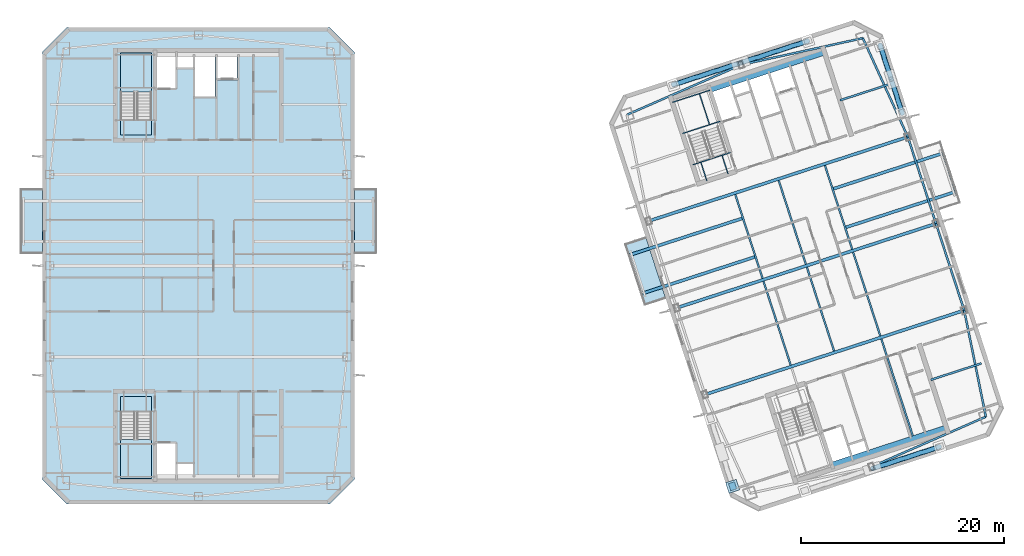
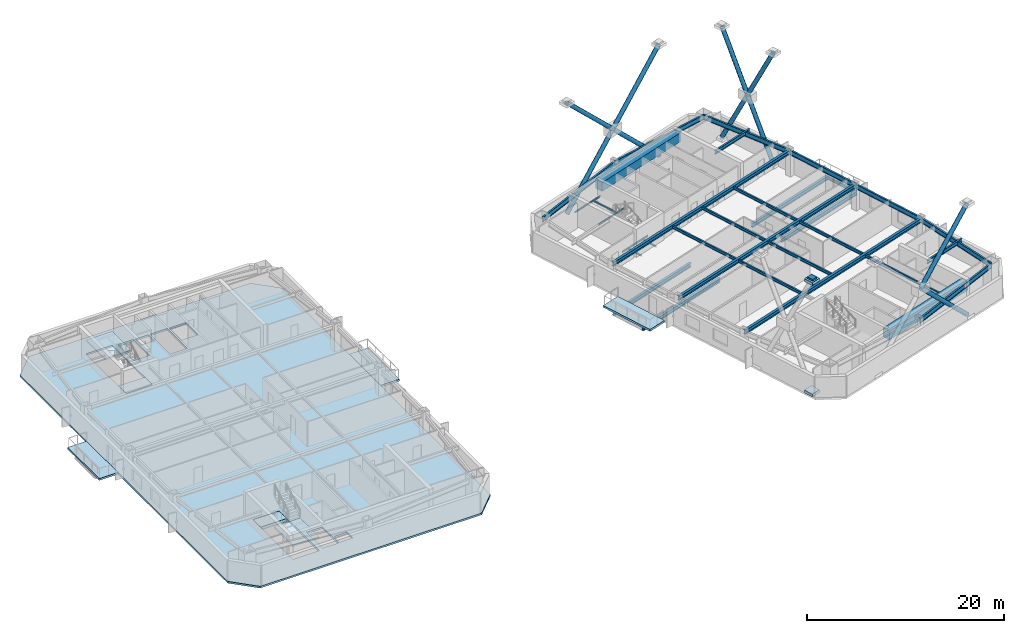
# One storey, part 4 of 18: 32 beams, 10 members, 8 slabs, 3 plates, 2 elements without a shape of their own.
"""IFC4 building model written with IfcOpenShell, lengths in metres."""

from ifc_helpers import new_model, si_unit, direction, frame, origin, origin_2d, place, context, subcontext, project, spatial, polyline, rectangle, hollow_circle, i_section, outline, extrude, material, layer, layer_set, material_profile, profile_set, type_object, element, aggregate, save


model = new_model("IFC4")

# Units and contexts
model_context = context("Model", 3, precision=1e-05, world=origin(), true_north=direction((0.0, 1.0)))
body_context = subcontext(model_context, "Body", "Model", "MODEL_VIEW")
ifc_project = project(units=[si_unit("LENGTHUNIT", "METRE"), si_unit("AREAUNIT", "SQUARE_METRE"), si_unit("VOLUMEUNIT", "CUBIC_METRE"), si_unit("PLANEANGLEUNIT", "RADIAN"), si_unit("MASSUNIT", "GRAM", prefix="KILO")], contexts=[model_context])

# Site, building, storey
site_placement = place(None, origin())
site = spatial("IfcSite", under=ifc_project, at=site_placement, CompositionType="ELEMENT")
building_placement = place(site_placement, origin())
building = spatial("IfcBuilding", under=site, at=building_placement, Name="Qiaolan Cultural Towers", CompositionType="ELEMENT")
storey_placement = place(building_placement, frame((0.0, 0.0, 226.550048828125)))
storey = spatial("IfcBuildingStorey", under=building, at=storey_placement, Name="L61", CompositionType="ELEMENT", Elevation=226.550048828125)

# Beams
ifc_material_1 = material(Name="Steel Q355B", Category="steel")
ifc_material_profile_1 = material_profile(ifc_material_1, i_section(OverallWidth=0.300048828125, OverallDepth=0.488037109375, WebThickness=0.010986328125, FlangeThickness=0.01806640625, at=origin_2d()), Name="HM488x300x11x18")
ifc_profile_set_1 = profile_set([ifc_material_profile_1], Name="Steel Q355B")
beam_type_1 = type_object("IfcBeamType", Name="BM-HM488x300x11x18", PredefinedType="BEAM", material=ifc_profile_set_1)
beam_1_placement = place(storey_placement, frame((84.978515625, 34.891845703125, -0.524169921875), z_axis=(-0.951057886204, -0.309012778197, 0.0), x_axis=(0.309012778197, -0.951057886204, 0.0)))
element("IfcBeam", 1, at=beam_1_placement, inside=storey, type_object=beam_type_1, Name="L61 T2 Tree Balcony Back-Spanned Bracket Beam", PredefinedType="BEAM", context=body_context, shape_type="SweptSolid", body=[
    extrude(i_section(OverallWidth=0.300048828125, OverallDepth=0.488037109375, WebThickness=0.010986328125, FlangeThickness=0.01806640625, at=origin_2d()), origin(), (0.0, 0.0, 1.0), 11.749755859375),
])
beam_2_placement = place(storey_placement, frame((83.742431640625, 38.6962890625, -0.524169921875), z_axis=(-0.951051779584, -0.309031572091, 0.0), x_axis=(0.309031572091, -0.951051779584, 0.0)))
element("IfcBeam", 2, at=beam_2_placement, inside=storey, type_object=beam_type_1, Name="L61 T2 Tree Balcony Back-Spanned Bracket Beam", PredefinedType="BEAM", context=body_context, shape_type="SweptSolid", body=[
    extrude(i_section(OverallWidth=0.300048828125, OverallDepth=0.488037109375, WebThickness=0.010986328125, FlangeThickness=0.01806640625, at=origin_2d()), origin(), (0.0, 0.0, 1.0), 11.75),
])
beam_3_placement = place(storey_placement, frame((93.823486328125, 37.765869140625, -0.524169921875), z_axis=(0.951061016342, 0.309003144311, 0.0), x_axis=(-0.309003144311, 0.951061016342, 0.0)))
element("IfcBeam", 3, at=beam_3_placement, inside=storey, type_object=beam_type_1, Name="L61 T2 Tree Balcony Back-Spanned Bracket Beam", PredefinedType="BEAM", context=body_context, shape_type="SweptSolid", body=[
    extrude(i_section(OverallWidth=0.300048828125, OverallDepth=0.488037109375, WebThickness=0.010986328125, FlangeThickness=0.01806640625, at=origin_2d()), origin(), (0.0, 0.0, 1.0), 11.449951171875),
])
beam_4_placement = place(storey_placement, frame((92.58740234375, 41.570068359375, -0.524169921875), z_axis=(0.951054749965, 0.309022430527, 0.0), x_axis=(-0.309022430527, 0.951054749965, 0.0)))
element("IfcBeam", 4, at=beam_4_placement, inside=storey, type_object=beam_type_1, Name="L61 T2 Tree Balcony Back-Spanned Bracket Beam", PredefinedType="BEAM", context=body_context, shape_type="SweptSolid", body=[
    extrude(i_section(OverallWidth=0.300048828125, OverallDepth=0.488037109375, WebThickness=0.010986328125, FlangeThickness=0.01806640625, at=origin_2d()), origin(), (0.0, 0.0, 1.0), 11.4501953125),
])
beam_5_placement = place(storey_placement, frame((79.989501953125, 21.2841796875, 2.926025390625), z_axis=(0.951056543098, 0.309016911884, 0.0), x_axis=(-0.309016911884, 0.951056543098, 0.0)))
element("IfcBeam", 5, at=beam_5_placement, inside=storey, type_object=beam_type_1, Name="L61 T2 Primary Transverse Girder V1", PredefinedType="BEAM", context=body_context, shape_type="SweptSolid", body=[
    extrude(i_section(OverallWidth=0.300048828125, OverallDepth=0.488037109375, WebThickness=0.010986328125, FlangeThickness=0.01806640625, at=origin_2d()), origin(), (0.0, 0.0, 1.0), 26.89990234375),
])
beam_6_placement = place(storey_placement, frame((77.208251953125, 29.84375, 2.926025390625), z_axis=(0.95105740976, 0.309014244561, 0.0), x_axis=(-0.309014244561, 0.95105740976, 0.0)))
element("IfcBeam", 6, at=beam_6_placement, inside=storey, type_object=beam_type_1, Name="L61 T2 Primary Transverse Girder V2", PredefinedType="BEAM", context=body_context, shape_type="SweptSolid", body=[
    extrude(i_section(OverallWidth=0.300048828125, OverallDepth=0.488037109375, WebThickness=0.010986328125, FlangeThickness=0.01806640625, at=origin_2d()), origin(), (0.0, 0.0, 1.0), 26.900146484375),
])
beam_7_placement = place(storey_placement, frame((74.42724609375, 38.4033203125, 2.926025390625), z_axis=(0.951056543098, 0.309016911884, 0.0), x_axis=(-0.309016911884, 0.951056543098, 0.0)))
element("IfcBeam", 7, at=beam_7_placement, inside=storey, type_object=beam_type_1, Name="L61 T2 Primary Transverse Girder V3", PredefinedType="BEAM", context=body_context, shape_type="SweptSolid", body=[
    extrude(i_section(OverallWidth=0.300048828125, OverallDepth=0.488037109375, WebThickness=0.010986328125, FlangeThickness=0.01806640625, at=origin_2d()), origin(), (0.0, 0.0, 1.0), 26.89990234375),
])
ifc_material_2 = material(Name="Steel Q355B", Category="steel")
ifc_material_profile_2 = material_profile(ifc_material_2, i_section(OverallWidth=0.175048828125, OverallDepth=0.35009765625, WebThickness=0.007080078125, FlangeThickness=0.010986328125, at=origin_2d()), Name="HN350x175x7x11")
ifc_profile_set_2 = profile_set([ifc_material_profile_2], Name="Steel Q355B")
beam_type_2 = type_object("IfcBeamType", Name="BM-JST-HN350x175x7x11", PredefinedType="JOIST", material=ifc_profile_set_2)
beam_8_placement = place(storey_placement, frame((104.713134765625, 41.303955078125, -0.524169921875), z_axis=(-0.3090046493, 0.951060527364, 0.0), x_axis=(-0.951060527364, -0.3090046493, 0.0)))
element("IfcBeam", 8, at=beam_8_placement, inside=storey, type_object=beam_type_2, Name="L61 T2 Tree Balcony Outer Edge Beam", PredefinedType="JOIST", context=body_context, shape_type="SweptSolid", body=[
    extrude(i_section(OverallWidth=0.175048828125, OverallDepth=0.35009765625, WebThickness=0.007080078125, FlangeThickness=0.010986328125, at=origin_2d()), origin(), (0.0, 0.0, 1.0), 4.000244140625),
])
for number, where, z_axis, x_axis, name in (
    (9, (88.455078125, 24.192626953125, 2.994873046875), (-0.309020714809, 0.951055307445, 0.0), (-0.951055307445, -0.309020714809, 0.0), "L61 T2 Secondary Floor Joist U1-2"),
    (10, (85.673828125, 32.752197265625, 2.994873046875), (-0.309020714809, 0.951055307445, 0.0), (-0.951055307445, -0.309020714809, 0.0), "L61 T2 Secondary Floor Joist U1-3"),
    (11, (92.73486328125, 25.583251953125, 2.994873046875), (-0.309020714809, 0.951055307445, 0.0), (-0.951055307445, -0.309020714809, 0.0), "L61 T2 Secondary Floor Joist U2-2"),
    (12, (89.95361328125, 34.142578125, 2.994873046875), (-0.309020714809, 0.951055307445, 0.0), (-0.951055307445, -0.309020714809, 0.0), "L61 T2 Secondary Floor Joist U2-3"),
):
    element("IfcBeam", number, at=place(storey_placement, frame(where, z_axis=z_axis, x_axis=x_axis)), inside=storey, type_object=beam_type_2, Name=name, PredefinedType="JOIST", context=body_context, shape_type="SweptSolid", body=[
        extrude(i_section(OverallWidth=0.175048828125, OverallDepth=0.35009765625, WebThickness=0.007080078125, FlangeThickness=0.010986328125, at=origin_2d()), origin(), (0.0, 0.0, 1.0), 8.699951171875),
    ])
beam_9_placement = place(storey_placement, frame((100.498291015625, 17.222900390625, 2.994873046875), z_axis=(-0.309025649293, 0.951053704098, 0.0), x_axis=(-0.951053704098, -0.309025649293, 0.0)))
element("IfcBeam", 13, at=beam_9_placement, inside=storey, type_object=beam_type_2, Name="L61 T2 Secondary Floor Joist U3-1", PredefinedType="JOIST", context=body_context, shape_type="SweptSolid", body=[
    extrude(i_section(OverallWidth=0.175048828125, OverallDepth=0.35009765625, WebThickness=0.007080078125, FlangeThickness=0.010986328125, at=origin_2d()), origin(), (0.0, 0.0, 1.0), 10.050048828125),
])
for number, where, z_axis, x_axis, name in (
    (14, (97.2998046875, 27.06640625, 2.994873046875), (-0.309020714809, 0.951055307445, 0.0), (-0.951055307445, -0.309020714809, 0.0), "L61 T2 Secondary Floor Joist U3-2"),
    (15, (94.518798828125, 35.6259765625, 2.994873046875), (-0.309020714809, 0.951055307445, 0.0), (-0.951055307445, -0.309020714809, 0.0), "L61 T2 Secondary Floor Joist U3-3"),
):
    element("IfcBeam", number, at=place(storey_placement, frame(where, z_axis=z_axis, x_axis=x_axis)), inside=storey, type_object=beam_type_2, Name=name, PredefinedType="JOIST", context=body_context, shape_type="SweptSolid", body=[
        extrude(i_section(OverallWidth=0.175048828125, OverallDepth=0.35009765625, WebThickness=0.007080078125, FlangeThickness=0.010986328125, at=origin_2d()), origin(), (0.0, 0.0, 1.0), 8.699951171875),
    ])
ifc_material_3 = material(Name="Steel Q355B", Category="steel")
ifc_material_profile_3 = material_profile(ifc_material_3, i_section(OverallWidth=0.199951171875, OverallDepth=0.449951171875, WebThickness=0.009033203125, FlangeThickness=0.013916015625, at=origin_2d()), Name="HN450x200x9x14")
ifc_profile_set_3 = profile_set([ifc_material_profile_3], Name="Steel Q355B")
beam_type_3 = type_object("IfcBeamType", Name="BM-LNT-HN450x200x9x14", PredefinedType="LINTEL", material=ifc_profile_set_3)
for number, where, z_axis, x_axis, name in (
    (16, (102.279296875, 22.74365234375, 2.945068359375), (0.951060037126, 0.309006158161, 0.0), (-0.309006158161, 0.951060037126, 0.0), "L61 T2 Core Flank Tie Lintel ES"),
    (17, (93.31787109375, 50.32421875, 2.945068359375), (0.951060037126, 0.309006158161, 0.0), (-0.309006158161, 0.951060037126, 0.0), "L61 T2 Core Flank Tie Lintel EN"),
):
    element("IfcBeam", number, at=place(storey_placement, frame(where, z_axis=z_axis, x_axis=x_axis)), inside=storey, type_object=beam_type_3, Name=name, PredefinedType="LINTEL", context=body_context, shape_type="SweptSolid", body=[
        extrude(i_section(OverallWidth=0.199951171875, OverallDepth=0.449951171875, WebThickness=0.009033203125, FlangeThickness=0.013916015625, at=origin_2d()), origin(), (0.0, 0.0, 1.0), 5.25),
    ])
ifc_material_4 = material(Name="Concrete C50", Category="concrete")
ifc_material_profile_4 = material_profile(ifc_material_4, rectangle(XDim=0.89990234375, YDim=1.10009765625, at=origin_2d()), Name="RC900x1100")
ifc_profile_set_4 = profile_set([ifc_material_profile_4], Name="Concrete C50")
beam_type_4 = type_object("IfcBeamType", Name="BM-RC900x1100", PredefinedType="BEAM", material=ifc_profile_set_4)
for number, where, z_axis, x_axis, name in (
    (18, (92.572265625, 14.174560546875, 2.619873046875), (0.951056266386, 0.309017763514, 0.0), (-0.309017763514, 0.951056266386, 0.0), "L61 T2 Core Header Girder S"),
    (19, (80.427978515625, 51.551025390625, 2.619873046875), (0.951056266386, 0.309017763514, 0.0), (-0.309017763514, 0.951056266386, 0.0), "L61 T2 Core Header Girder N"),
):
    element("IfcBeam", number, at=place(storey_placement, frame(where, z_axis=z_axis, x_axis=x_axis)), inside=storey, type_object=beam_type_4, Name=name, PredefinedType="BEAM", context=body_context, shape_type="SweptSolid", body=[
        extrude(rectangle(XDim=0.89990234375, YDim=1.10009765625, at=origin_2d()), origin(), (0.0, 0.0, 1.0), 11.880126953125),
    ])
ifc_material_5 = material(Name="Steel Q355B", Category="steel")
ifc_material_profile_5 = material_profile(ifc_material_5, i_section(OverallWidth=0.199951171875, OverallDepth=0.60009765625, WebThickness=0.010986328125, FlangeThickness=0.01708984375, at=origin_2d()), Name="HN600x200x11x17")
ifc_profile_set_5 = profile_set([ifc_material_profile_5], Name="Steel Q355B")
beam_type_5 = type_object("IfcBeamType", Name="BM-SPD-HN600x200x11x17", PredefinedType="SPANDREL", material=ifc_profile_set_5)
beam_10_placement = place(storey_placement, frame((96.443115234375, 14.17041015625, 2.869873046875), z_axis=(0.916042038824, 0.401082264762, 0.0), x_axis=(-0.401082264762, 0.916042038824, 0.0)))
element("IfcBeam", 20, at=beam_10_placement, inside=storey, type_object=beam_type_5, Name="L61 T2 Perimeter Spandrel Beam 2", PredefinedType="SPANDREL", context=body_context, shape_type="SweptSolid", body=[
    extrude(i_section(OverallWidth=0.199951171875, OverallDepth=0.60009765625, WebThickness=0.010986328125, FlangeThickness=0.01708984375, at=origin_2d()), origin(), (0.0, 0.0, 1.0), 12.299560546875),
])
beam_11_placement = place(storey_placement, frame((107.7099609375, 19.103515625, 2.869873046875), z_axis=(-0.199578538116, 0.979881833245, 0.0), x_axis=(-0.979881833245, -0.199578538116, 0.0)))
element("IfcBeam", 21, at=beam_11_placement, inside=storey, type_object=beam_type_5, Name="L61 T2 Perimeter Spandrel Beam 3", PredefinedType="SPANDREL", context=body_context, shape_type="SweptSolid", body=[
    extrude(i_section(OverallWidth=0.199951171875, OverallDepth=0.60009765625, WebThickness=0.010986328125, FlangeThickness=0.01708984375, at=origin_2d()), origin(), (0.0, 0.0, 1.0), 10.70849609375),
])
for number, where, z_axis, x_axis, name in (
    (22, (105.57275390625, 29.5966796875, 2.869873046875), (-0.309000197986, 0.951061973609, 0.0), (-0.951061973609, -0.309000197986, 0.0), "L61 T2 Perimeter Spandrel Beam 4"),
    (23, (102.791748046875, 38.15625, 2.869873046875), (-0.309024734286, 0.951054001411, 0.0), (-0.951054001411, -0.309024734286, 0.0), "L61 T2 Perimeter Spandrel Beam 5"),
):
    element("IfcBeam", number, at=place(storey_placement, frame(where, z_axis=z_axis, x_axis=x_axis)), inside=storey, type_object=beam_type_5, Name=name, PredefinedType="SPANDREL", context=body_context, shape_type="SweptSolid", body=[
        extrude(i_section(OverallWidth=0.199951171875, OverallDepth=0.60009765625, WebThickness=0.010986328125, FlangeThickness=0.01708984375, at=origin_2d()), origin(), (0.0, 0.0, 1.0), 9.0),
    ])
beam_12_placement = place(storey_placement, frame((100.010498046875, 46.7158203125, 2.869873046875), z_axis=(-0.414500208282, 0.910049216985, 0.0), x_axis=(-0.910049216985, -0.414500208282, 0.0)))
element("IfcBeam", 24, at=beam_12_placement, inside=storey, type_object=beam_type_5, Name="L61 T2 Perimeter Spandrel Beam 6", PredefinedType="SPANDREL", context=body_context, shape_type="SweptSolid", body=[
    extrude(i_section(OverallWidth=0.199951171875, OverallDepth=0.60009765625, WebThickness=0.010986328125, FlangeThickness=0.01708984375, at=origin_2d()), origin(), (0.0, 0.0, 1.0), 10.70849609375),
])
beam_13_placement = place(storey_placement, frame((95.57177734375, 56.461181640625, 2.869873046875), z_axis=(-0.976843395078, -0.213955559619, 0.0), x_axis=(0.213955559619, -0.976843395078, 0.0)))
element("IfcBeam", 25, at=beam_13_placement, inside=storey, type_object=beam_type_5, Name="L61 T2 Perimeter Spandrel Beam 7", PredefinedType="SPANDREL", context=body_context, shape_type="SweptSolid", body=[
    extrude(i_section(OverallWidth=0.199951171875, OverallDepth=0.60009765625, WebThickness=0.010986328125, FlangeThickness=0.01708984375, at=origin_2d()), origin(), (0.0, 0.0, 1.0), 12.2998046875),
])
beam_14_placement = place(storey_placement, frame((83.556884765625, 53.82958984375, 2.869873046875), z_axis=(-0.916042038824, -0.401082264762, 0.0), x_axis=(0.401082264762, -0.916042038824, 0.0)))
element("IfcBeam", 26, at=beam_14_placement, inside=storey, type_object=beam_type_5, Name="L61 T2 Perimeter Spandrel Beam 8", PredefinedType="SPANDREL", context=body_context, shape_type="SweptSolid", body=[
    extrude(i_section(OverallWidth=0.199951171875, OverallDepth=0.60009765625, WebThickness=0.010986328125, FlangeThickness=0.01708984375, at=origin_2d()), origin(), (0.0, 0.0, 1.0), 12.299560546875),
])
ifc_material_6 = material(Name="Steel Q355B", Category="steel")
ifc_material_profile_6 = material_profile(ifc_material_6, i_section(OverallWidth=0.10009765625, OverallDepth=0.199951171875, WebThickness=0.005615234375, FlangeThickness=0.008056640625, at=origin_2d()), Name="HN200x100x5.5x8")
ifc_profile_set_6 = profile_set([ifc_material_profile_6], Name="Steel Q355B")
beam_type_6 = type_object("IfcBeamType", Name="BM-STTRIM-200", PredefinedType="BEAM", material=ifc_profile_set_6)
beam_15_placement = place(storey_placement, frame((78.773193359375, 43.958251953125, -0.4599609375), z_axis=(0.951072048947, 0.3089691857, 0.0), x_axis=(-0.3089691857, 0.951072048947, 0.0)))
element("IfcBeam", 27, at=beam_15_placement, inside=storey, type_object=beam_type_6, Name="L61 ST-E2 Floor Landing Header Beam", PredefinedType="BEAM", context=body_context, shape_type="SweptSolid", body=[
    extrude(i_section(OverallWidth=0.10009765625, OverallDepth=0.199951171875, WebThickness=0.005615234375, FlangeThickness=0.008056640625, at=origin_2d()), origin(), (0.0, 0.0, 1.0), 3.920166015625),
])
for number, where, z_axis, x_axis, name in (
    (28, (80.18115234375, 42.375732421875, -0.4599609375), (-0.308969394428, 0.951071981138, 0.0), (-0.951071981138, -0.308969394428, 0.0), "L61 ST-E2 Floor Landing Stringer 1"),
    (29, (82.2734375, 43.0556640625, -0.4599609375), (-0.308969394428, 0.951071981138, 0.0), (-0.951071981138, -0.308969394428, 0.0), "L61 ST-E2 Floor Landing Stringer 2"),
):
    element("IfcBeam", number, at=place(storey_placement, frame(where, z_axis=z_axis, x_axis=x_axis)), inside=storey, type_object=beam_type_6, Name=name, PredefinedType="BEAM", context=body_context, shape_type="SweptSolid", body=[
        extrude(i_section(OverallWidth=0.10009765625, OverallDepth=0.199951171875, WebThickness=0.005615234375, FlangeThickness=0.008056640625, at=origin_2d()), origin(), (0.0, 0.0, 1.0), 1.93994140625),
    ])
for number, where, z_axis, x_axis, name in (
    (30, (77.769287109375, 47.0478515625, 1.425048828125), (0.951053746643, 0.309025518358, 0.0), (-0.309025518358, 0.951053746643, 0.0), "L61 ST-E2 Stair Landing Support Beam 1-1"),
    (31, (76.770751953125, 50.12109375, 1.425048828125), (0.951072048947, 0.3089691857, 0.0), (-0.3089691857, 0.951072048947, 0.0), "L61 ST-E2 Stair Landing Support Beam 1-2"),
):
    element("IfcBeam", number, at=place(storey_placement, frame(where, z_axis=z_axis, x_axis=x_axis)), inside=storey, type_object=beam_type_6, Name=name, PredefinedType="BEAM", context=body_context, shape_type="SweptSolid", body=[
        extrude(i_section(OverallWidth=0.10009765625, OverallDepth=0.199951171875, WebThickness=0.005615234375, FlangeThickness=0.008056640625, at=origin_2d()), origin(), (0.0, 0.0, 1.0), 3.920166015625),
    ])
beam_16_placement = place(storey_placement, frame((80.44189453125, 47.916259765625, 1.425048828125), z_axis=(-0.309033108495, 0.951051280349, 0.0), x_axis=(-0.951051280349, -0.309033108495, 0.0)))
element("IfcBeam", 32, at=beam_16_placement, inside=storey, type_object=beam_type_6, Name="L61 ST-E2 Stair Landing Trimmer 1", PredefinedType="BEAM", context=body_context, shape_type="SweptSolid", body=[
    extrude(i_section(OverallWidth=0.10009765625, OverallDepth=0.199951171875, WebThickness=0.005615234375, FlangeThickness=0.008056640625, at=origin_2d()), origin(), (0.0, 0.0, 1.0), 3.231201171875),
])

# Members
ifc_material_7 = material(Name="Steel Q355B", Category="steel")
ifc_material_profile_7 = material_profile(ifc_material_7, hollow_circle(Radius=0.25, WallThickness=0.02490234375, at=origin_2d()), Name="CHS500x25")
ifc_profile_set_7 = profile_set([ifc_material_profile_7], Name="Steel Q355B")
member_type = type_object("IfcMemberType", Name="MBR-BRC-CHS500x25", PredefinedType="BRACE", material=ifc_profile_set_7)
member_1_placement = place(storey_placement, frame((99.459228515625, 49.06005859375, 0.14990234375), z_axis=(-0.140590397794, 0.432673093346, 0.890521383428), x_axis=(-0.951052389726, -0.30902969436, 0.0)))
element("IfcMember", 33, at=member_1_placement, inside=storey, type_object=member_type, Name="T2 EAST Perimeter Frame Diagonal E-Z4-M3-D1A", PredefinedType="BRACE", context=body_context, shape_type="SweptSolid", body=[
    extrude(hollow_circle(Radius=0.25, WallThickness=0.02490234375, at=origin_2d()), origin(), (0.0, 0.0, 1.0), 7.74853515625),
])
member_2_placement = place(storey_placement, frame((98.369873046875, 52.41259765625, 7.050048828125), z_axis=(-0.140594342701, 0.432685233968, 0.890514861811), x_axis=(-0.951052389726, -0.30902969436, 0.0)))
element("IfcMember", 34, at=member_2_placement, inside=storey, type_object=member_type, Name="T2 EAST Perimeter Frame Diagonal E-Z4-M3-D1B", PredefinedType="BRACE", context=body_context, shape_type="SweptSolid", body=[
    extrude(hollow_circle(Radius=0.25, WallThickness=0.02490234375, at=origin_2d()), origin(), (0.0, 0.0, 1.0), 7.748291015625),
])
member_3_placement = place(storey_placement, frame((97.280517578125, 55.76513671875, 0.14990234375), z_axis=(0.140590397794, -0.432673093346, 0.890521383428), x_axis=(0.951052389726, 0.30902969436, 0.0)))
element("IfcMember", 35, at=member_3_placement, inside=storey, type_object=member_type, Name="T2 EAST Perimeter Frame Diagonal E-Z4-M3-D2A", PredefinedType="BRACE", context=body_context, shape_type="SweptSolid", body=[
    extrude(hollow_circle(Radius=0.25, WallThickness=0.02490234375, at=origin_2d()), origin(), (0.0, 0.0, 1.0), 7.74853515625),
])
member_4_placement = place(storey_placement, frame((98.369873046875, 52.41259765625, 7.050048828125), z_axis=(0.140594342701, -0.432685233968, 0.890514861811), x_axis=(0.951052389726, 0.30902969436, 0.0)))
element("IfcMember", 36, at=member_4_placement, inside=storey, type_object=member_type, Name="T2 EAST Perimeter Frame Diagonal E-Z4-M3-D2B", PredefinedType="BRACE", context=body_context, shape_type="SweptSolid", body=[
    extrude(hollow_circle(Radius=0.25, WallThickness=0.02490234375, at=origin_2d()), origin(), (0.0, 0.0, 1.0), 7.748291015625),
])
member_5_placement = place(storey_placement, frame((96.5048828125, 13.980224609375, 7.050048828125), z_axis=(0.677315018885, 0.22007521884, 0.702005173233), x_axis=(-0.309019824916, 0.951055596592, 0.0)))
element("IfcMember", 37, at=member_5_placement, inside=storey, type_object=member_type, Name="T2 SOUTH Perimeter Frame Diagonal E-Z4-M3-D1B", PredefinedType="BRACE", context=body_context, shape_type="SweptSolid", body=[
    extrude(hollow_circle(Radius=0.25, WallThickness=0.02490234375, at=origin_2d()), origin(), (0.0, 0.0, 1.0), 9.828857421875),
])
for number, where, z_axis, x_axis, name in (
    (38, (103.162109375, 16.143310546875, 0.14990234375), (-0.67730320848, -0.220071381368, 0.702017771061), (0.309019824916, -0.951055596592, 0.0), "T2 SOUTH Perimeter Frame Diagonal E-Z4-M3-D2A"),
    (39, (76.837890625, 51.856689453125, 0.14990234375), (0.67730320848, 0.220071381368, 0.702017771061), (-0.309019824916, 0.951055596592, 0.0), "T2 NORTH Perimeter Frame Diagonal E-Z4-M3-D1A"),
    (40, (83.4951171875, 54.019775390625, 7.050048828125), (0.677328462617, 0.220071516329, 0.70199336281), (-0.309009574742, 0.951058927048, 0.0), "T2 NORTH Perimeter Frame Diagonal E-Z4-M3-D1B"),
    (41, (90.152587890625, 56.182861328125, 0.14990234375), (-0.677316652375, -0.220067679051, 0.702005960838), (0.309009574742, -0.951058927048, 0.0), "T2 NORTH Perimeter Frame Diagonal E-Z4-M3-D2A"),
):
    element("IfcMember", number, at=place(storey_placement, frame(where, z_axis=z_axis, x_axis=x_axis)), inside=storey, type_object=member_type, Name=name, PredefinedType="BRACE", context=body_context, shape_type="SweptSolid", body=[
        extrude(hollow_circle(Radius=0.25, WallThickness=0.02490234375, at=origin_2d()), origin(), (0.0, 0.0, 1.0), 9.8291015625),
    ])
member_6_placement = place(storey_placement, frame((83.4951171875, 54.019775390625, 7.050048828125), z_axis=(-0.677315018885, -0.22007521884, 0.702005173233), x_axis=(0.309019824916, -0.951055596592, 0.0)))
element("IfcMember", 42, at=member_6_placement, inside=storey, type_object=member_type, Name="T2 NORTH Perimeter Frame Diagonal E-Z4-M3-D2B", PredefinedType="BRACE", context=body_context, shape_type="SweptSolid", body=[
    extrude(hollow_circle(Radius=0.25, WallThickness=0.02490234375, at=origin_2d()), origin(), (0.0, 0.0, 1.0), 9.828857421875),
])

# Plates
ifc_material_8 = material(Name="Steel Q355B", Category="steel")
ifc_layer_1 = layer(ifc_material_8, 0.035888671875)
ifc_layer_set_1 = layer_set([ifc_layer_1], Name="Steel Q355B")
plate_type_1 = type_object("IfcPlateType", Name="PL-CONN-36", PredefinedType="USERDEFINED", material=ifc_layer_set_1)
plate_placement = place(storey_placement, frame((82.719482421875, 12.23486328125, 13.580078125), z_axis=(0.0, 0.0, 1.0), x_axis=(-0.309016994375, 0.951056516295, 0.0)))
element("IfcPlate", 43, at=plate_placement, inside=storey, type_object=plate_type_1, Name="L61 Brace End Connection Gusset Plate GP-02-0589", ObjectType="GUSSET_PLATE", PredefinedType="USERDEFINED", context=body_context, shape_type="SweptSolid", body=[
    extrude(rectangle(XDim=0.739990234375, YDim=0.6201171875, at=origin_2d()), origin(), (0.0, 0.0, 1.0), 0.739990234375),
])
ifc_material_9 = material(Name="Steel Q355B", Category="steel")
ifc_layer_2 = layer(ifc_material_9, 0.030029296875)
ifc_layer_set_2 = layer_set([ifc_layer_2], Name="Steel Q355B")
plate_type_2 = type_object("IfcPlateType", Name="PL-ENDCAP-30", PredefinedType="USERDEFINED", material=ifc_layer_set_2)
for number, where, z_axis, x_axis, name in (
    (44, (82.719482421875, 12.23486328125, -0.025146484375), (0.0, 0.0, 1.0), (-0.309016994375, 0.951056516295, 0.0), "Hollow Brace End Seal Cap Plate CP-01"),
    (45, (82.719482421875, 12.23486328125, 13.77490234375), (0.0, 0.0, 1.0), (-0.309016994375, 0.951056516295, 0.0), "Hollow Brace End Seal Cap Plate CP-01"),
):
    element("IfcPlate", number, at=place(storey_placement, frame(where, z_axis=z_axis, x_axis=x_axis)), inside=storey, type_object=plate_type_2, Name=name, ObjectType="BASE_PLATE", PredefinedType="USERDEFINED", context=body_context, shape_type="SweptSolid", body=[
        extrude(rectangle(XDim=1.10009765625, YDim=1.10009765625, at=origin_2d()), origin(), (0.0, 0.0, 1.0), 0.35009765625),
    ])

# Slabs
ifc_material_10 = material(Name="Concrete C45", Category="concrete")
ifc_layer_3 = layer(ifc_material_10, 0.239990234375)
ifc_layer_set_3 = layer_set([ifc_layer_3], Name="Concrete C45")
slab_type_1 = type_object("IfcSlabType", Name="SL-BAL-240", PredefinedType="FLOOR", material=ifc_layer_set_3)
slab_1_placement = place(storey_placement, frame((0.0, 0.0, -0.239990234375)))
element("IfcSlab", 46, at=slab_1_placement, inside=storey, type_object=slab_type_1, Name="L61 T1 Planted Tree Balcony W", PredefinedType="FLOOR", context=body_context, shape_type="SweptSolid", body=[
    extrude(outline(polyline([(12.39990234375, 35.199951171875), (14.60009765625, 35.199951171875), (14.60009765625, 41.60009765625), (12.39990234375, 41.60009765625), (12.39990234375, 35.199951171875)])), origin(), (0.0, 0.0, 1.0), 0.239990234375),
])
slab_2_placement = place(storey_placement, frame((0.0, 0.0, -0.239990234375)))
element("IfcSlab", 47, at=slab_2_placement, inside=storey, type_object=slab_type_1, Name="L61 T1 Planted Tree Balcony E", PredefinedType="FLOOR", context=body_context, shape_type="SweptSolid", body=[
    extrude(outline(polyline([(45.39990234375, 35.199951171875), (47.60009765625, 35.199951171875), (47.60009765625, 41.60009765625), (45.39990234375, 41.60009765625), (45.39990234375, 35.199951171875)])), origin(), (0.0, 0.0, 1.0), 0.239990234375),
])
slab_3_placement = place(storey_placement, frame((0.0, 0.0, -0.239990234375)))
element("IfcSlab", 48, at=slab_3_placement, inside=storey, type_object=slab_type_1, Name="L61 T2 Planted Tree Balcony W", PredefinedType="FLOOR", context=body_context, shape_type="SweptSolid", body=[
    extrude(outline(polyline([(74.03173828125, 30.073486328125), (76.124267578125, 30.753173828125), (74.146484375, 36.840087890625), (72.05419921875, 36.16015625), (74.03173828125, 30.073486328125)])), origin(), (0.0, 0.0, 1.0), 0.239990234375),
])

# Stair, slab
ifc_material_11 = material(Name="Concrete C45", Category="concrete")
stair_type = type_object("IfcStairType", Name="STR-CORE-1500", PredefinedType="HALF_TURN_STAIR", material=ifc_material_11)
stair_1_placement = place(storey_placement, origin())
stair_1 = element("IfcStair", 49, at=stair_1_placement, inside=storey, type_object=stair_type, Name="L61 Smokeproof Exit Stair ST-W1", PredefinedType="HALF_TURN_STAIR")
ifc_material_12 = material(Name="Concrete C45", Category="concrete")
ifc_layer_4 = layer(ifc_material_12, 0.199951171875)
ifc_layer_set_4 = layer_set([ifc_layer_4], Name="Concrete C45")
slab_type_2 = type_object("IfcSlabType", Name="SL-STAIR-LAND", PredefinedType="LANDING", material=ifc_layer_set_4)
slab_4_placement = place(storey_placement, frame((0.0, 0.0, 1.52490234375)))
slab_4 = element("IfcSlab", 50, at=slab_4_placement, type_object=slab_type_2, Name="ST-W1 landing 1", PredefinedType="LANDING", context=body_context, shape_type="SweptSolid", body=[
    extrude(outline(polyline([(22.300048828125, 16.851318359375), (22.300048828125, 13.0), (25.3798828125, 13.0), (25.3798828125, 16.851318359375), (22.300048828125, 16.851318359375)])), origin(), (0.0, 0.0, 1.0), 0.199951171875),
])
aggregate(stair_1, [slab_4])

stair_2_placement = place(storey_placement, origin())
stair_2 = element("IfcStair", 51, at=stair_2_placement, inside=storey, type_object=stair_type, Name="L61 Smokeproof Exit Stair ST-W2", PredefinedType="HALF_TURN_STAIR")
slab_5_placement = place(storey_placement, frame((0.0, 0.0, 1.52490234375)))
slab_5 = element("IfcSlab", 52, at=slab_5_placement, type_object=slab_type_2, Name="ST-W2 landing 1", PredefinedType="LANDING", context=body_context, shape_type="SweptSolid", body=[
    extrude(outline(polyline([(25.3798828125, 51.148681640625), (25.3798828125, 55.0), (22.300048828125, 55.0), (22.300048828125, 51.148681640625), (25.3798828125, 51.148681640625)])), origin(), (0.0, 0.0, 1.0), 0.199951171875),
])
aggregate(stair_2, [slab_5])

# Slabs
ifc_material_13 = material(Name="Concrete C40", Category="concrete")
ifc_layer_5 = layer(ifc_material_13, 0.360107421875)
ifc_layer_set_5 = layer_set([ifc_layer_5], Name="Concrete C40")
slab_type_3 = type_object("IfcSlabType", Name="SL-STFLR-360", PredefinedType="LANDING", material=ifc_layer_set_5)
slab_6_placement = place(storey_placement, frame((0.0, 0.0, -0.360107421875)))
element("IfcSlab", 53, at=slab_6_placement, inside=storey, type_object=slab_type_3, Name="L61 ST-W1 Stair Floor Landing Slab", PredefinedType="LANDING", context=body_context, shape_type="SweptSolid", body=[
    extrude(outline(polyline([(22.302001953125, 21.097900390625), (22.302001953125, 19.548583984375), (25.3779296875, 19.548583984375), (25.3779296875, 21.097900390625), (22.302001953125, 21.097900390625)])), origin(), (0.0, 0.0, 1.0), 0.360107421875),
])
slab_7_placement = place(storey_placement, frame((0.0, 0.0, -0.360107421875)))
element("IfcSlab", 54, at=slab_7_placement, inside=storey, type_object=slab_type_3, Name="L61 ST-W2 Stair Floor Landing Slab", PredefinedType="LANDING", context=body_context, shape_type="SweptSolid", body=[
    extrude(outline(polyline([(25.3779296875, 46.902099609375), (25.3779296875, 48.451416015625), (22.302001953125, 48.451416015625), (22.302001953125, 46.902099609375), (25.3779296875, 46.902099609375)])), origin(), (0.0, 0.0, 1.0), 0.360107421875),
])
ifc_material_14 = material(Name="Concrete C45", Category="concrete")
ifc_layer_6 = layer(ifc_material_14, 0.219970703125)
ifc_layer_set_6 = layer_set([ifc_layer_6], Name="Concrete C45")
slab_type_4 = type_object("IfcSlabType", Name="SL-TYP-220", PredefinedType="FLOOR", material=ifc_layer_set_6)
slab_8_placement = place(storey_placement, frame((0.0, 0.0, -0.219970703125)))
element("IfcSlab", 55, at=slab_8_placement, inside=storey, type_object=slab_type_4, Name="L61 West Tower Floor Slab", PredefinedType="FLOOR", context=body_context, shape_type="SweptSolid", body=[
    extrude(outline(polyline([(17.0, 10.5), (43.0, 10.5), (45.39990234375, 12.89990234375), (45.39990234375, 55.10009765625), (43.0, 57.5), (17.0, 57.5), (14.60009765625, 55.10009765625), (14.60009765625, 12.89990234375), (17.0, 10.5)]), holes=[polyline([(22.300048828125, 21.10009765625), (22.300048828125, 13.0), (25.3798828125, 13.0), (25.3798828125, 21.10009765625), (22.300048828125, 21.10009765625)]), polyline([(25.3798828125, 46.89990234375), (25.3798828125, 55.0), (22.300048828125, 55.0), (22.300048828125, 46.89990234375), (25.3798828125, 46.89990234375)]), polyline([(25.89990234375, 13.199951171875), (27.75, 13.199951171875), (27.75, 16.449951171875), (25.89990234375, 16.449951171875), (25.89990234375, 13.199951171875)]), polyline([(27.93994140625, 13.25), (29.449951171875, 13.25), (29.449951171875, 14.419921875), (27.93994140625, 14.419921875), (27.93994140625, 13.25)]), polyline([(25.89990234375, 51.550048828125), (27.75, 51.550048828125), (27.75, 54.800048828125), (25.89990234375, 54.800048828125), (25.89990234375, 51.550048828125)]), polyline([(27.93994140625, 53.580078125), (29.449951171875, 53.580078125), (29.449951171875, 54.75), (27.93994140625, 54.75), (27.93994140625, 53.580078125)]), polyline([(31.8798828125, 52.27001953125), (33.820068359375, 52.27001953125), (33.820068359375, 54.75), (31.8798828125, 54.75), (31.8798828125, 52.27001953125)]), polyline([(29.679931640625, 50.719970703125), (31.659912109375, 50.719970703125), (31.659912109375, 54.75), (29.679931640625, 54.75), (29.679931640625, 50.719970703125)])]), origin(), (0.0, 0.0, 1.0), 0.219970703125),
])

save(model, "model.ifc")
